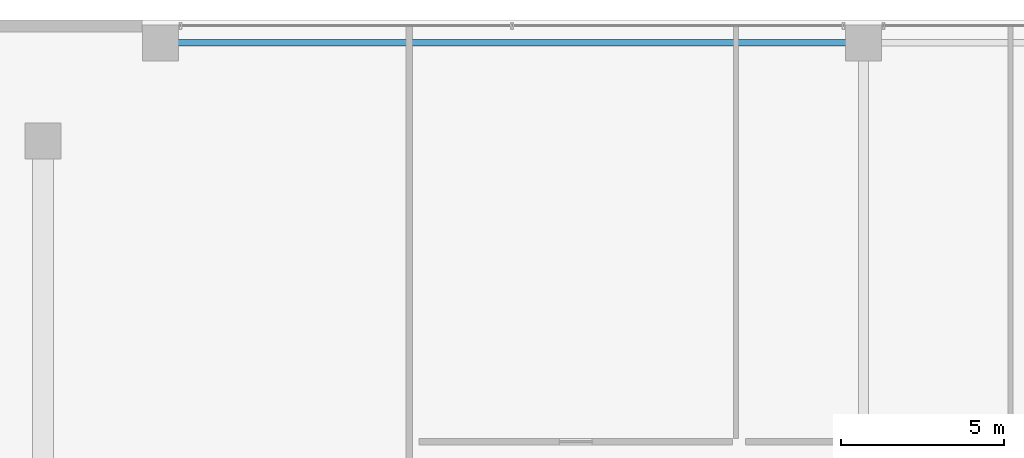
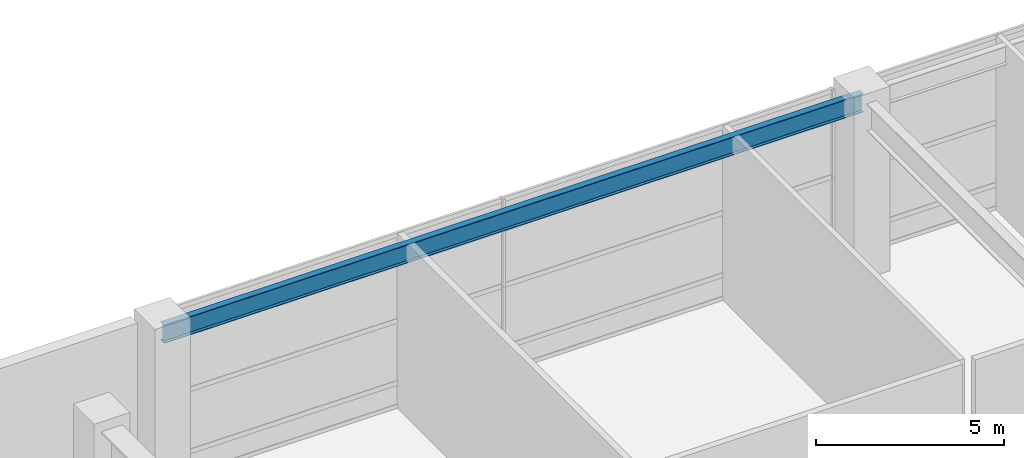
# One storey, part 20 of 39: 1 beam.
"""IFC4 building model written with IfcOpenShell, lengths in metres."""

from ifc_helpers import new_model, si_unit, direction, frame, origin, origin_2d, place, context, subcontext, project, spatial, i_section, extrude, source, transform, mapped, material, material_profile, profile_set, type_object, element, save


model = new_model("IFC4")

# Units and contexts
model_context = context("Model", 3, precision=1e-05, world=origin(), true_north=direction((0.0, 1.0)))
body_context = subcontext(model_context, "Body", "Model", "MODEL_VIEW")
ifc_project = project(units=[si_unit("LENGTHUNIT", "METRE"), si_unit("AREAUNIT", "SQUARE_METRE"), si_unit("VOLUMEUNIT", "CUBIC_METRE"), si_unit("PLANEANGLEUNIT", "RADIAN"), si_unit("MASSUNIT", "GRAM", prefix="KILO"), si_unit("THERMODYNAMICTEMPERATUREUNIT", "KELVIN"), si_unit("POWERUNIT", "WATT")], contexts=[model_context])

# Site, building, storey
site_placement = place(None, origin())
site = spatial("IfcSite", under=ifc_project, at=site_placement, CompositionType="ELEMENT")
building_placement = place(site_placement, origin())
building = spatial("IfcBuilding", under=site, at=building_placement, Name="Yuzanri Waterfront Tower", CompositionType="ELEMENT")
storey_placement = place(building_placement, frame((0.0, 0.0, 19.800048828125)))
storey = spatial("IfcBuildingStorey", under=building, at=storey_placement, Name="L05", CompositionType="ELEMENT", Elevation=19.800048828125)

# Beam
ifc_material = material(Name="Steel Q355B", Category="steel")
ifc_material_profile = material_profile(ifc_material, i_section(OverallWidth=0.199951171875, OverallDepth=0.60009765625, WebThickness=0.010986328125, FlangeThickness=0.01708984375, at=origin_2d()), Name="HN 600x200x11x17")
ifc_profile_set = profile_set([ifc_material_profile], Name="Steel Q355B")
beam_type = type_object("IfcBeamType", Name="Perimeter Spandrel Q355B HN 600x200", PredefinedType="SPANDREL", material=ifc_profile_set)
shared_shape = source(origin(), body_context, "Body", "SweptSolid", [
    extrude(i_section(OverallWidth=0.199951171875, OverallDepth=0.60009765625, WebThickness=0.010986328125, FlangeThickness=0.01708984375, at=origin_2d()), origin(), (0.0, 0.0, 1.0), 21.5),
])
beam_placement = place(storey_placement, frame((15.5, 49.10009765625, 5.3798828125), z_axis=(1.0, 0.0, 0.0), x_axis=(0.0, 1.0, 0.0)))
element("IfcBeam", 1, at=beam_placement, inside=storey, type_object=beam_type, Name="L05 North Spandrel 1", PredefinedType="SPANDREL", context=body_context, shape_type="MappedRepresentation", body=[
    mapped(shared_shape, transform((0.0, 0.0, 0.0), scale=1.0)),
])

save(model, "model.ifc")
